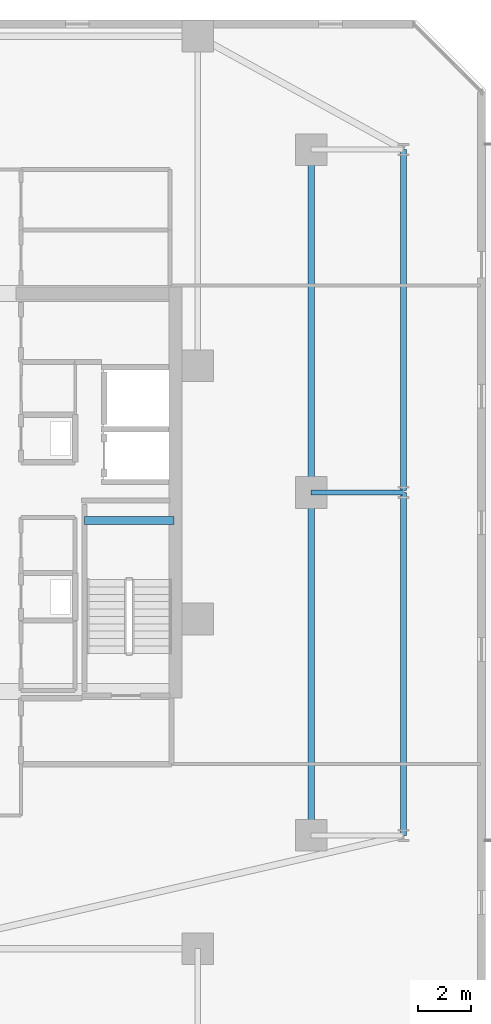
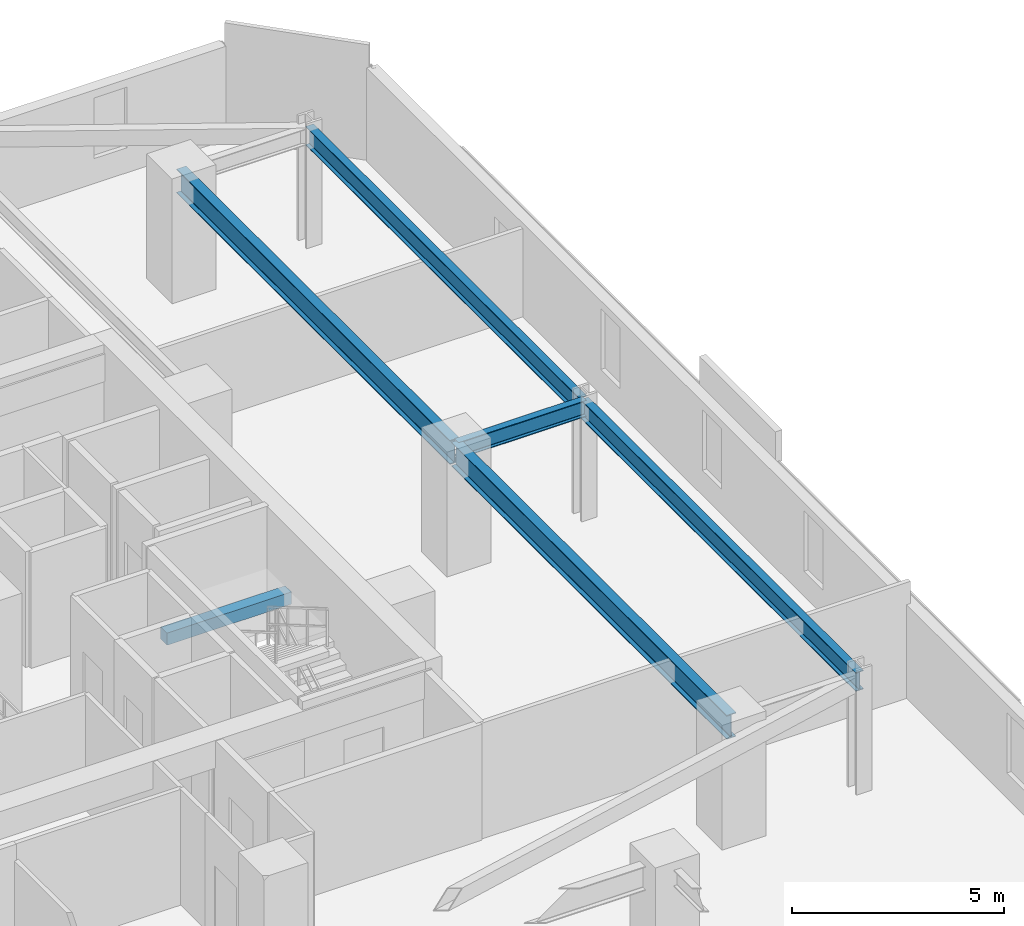
# One storey, part 13 of 33: 6 beams.
"""IFC4 building model written with IfcOpenShell, lengths in metres."""

from ifc_helpers import new_model, si_unit, direction, frame, origin, origin_2d, place, context, subcontext, project, spatial, rectangle, i_section, extrude, material, material_profile, profile_set, type_object, element, save


model = new_model("IFC4")

# Units and contexts
model_context = context("Model", 3, precision=1e-05, world=origin(), true_north=direction((0.0, 1.0)))
body_context = subcontext(model_context, "Body", "Model", "MODEL_VIEW")
ifc_project = project(units=[si_unit("LENGTHUNIT", "METRE"), si_unit("AREAUNIT", "SQUARE_METRE"), si_unit("VOLUMEUNIT", "CUBIC_METRE"), si_unit("PLANEANGLEUNIT", "RADIAN"), si_unit("MASSUNIT", "GRAM", prefix="KILO")], contexts=[model_context])

# Site, building, storey
site_placement = place(None, origin())
site = spatial("IfcSite", under=ifc_project, at=site_placement, CompositionType="ELEMENT")
building_placement = place(site_placement, origin())
building = spatial("IfcBuilding", under=site, at=building_placement, Name="Thornwick Lancets Civic Towers", CompositionType="ELEMENT")
storey_placement = place(building_placement, frame((0.0, 0.0, 134.10009765625)))
storey = spatial("IfcBuildingStorey", under=building, at=storey_placement, Name="L35", CompositionType="ELEMENT", Elevation=134.10009765625)

# Beams
ifc_material_1 = material(Name="Steel S355JR", Category="steel")
ifc_material_profile_1 = material_profile(ifc_material_1, i_section(OverallWidth=0.2119140625, OverallDepth=0.54443359375, WebThickness=0.0126953125, FlangeThickness=0.021240234375, FilletRadius=0.0126953125, at=origin_2d()), Name="UKB 533x210x122")
ifc_profile_set_1 = profile_set([ifc_material_profile_1], Name="Steel S355JR")
beam_type_1 = type_object("IfcBeamType", Name="BM_EDGE_533_122", PredefinedType="SPANDREL", material=ifc_profile_set_1)
beam_1_placement = place(storey_placement, frame((109.300048828125, 14.0, 3.087646484375), z_axis=(0.0, 1.0, 0.0), x_axis=(-1.0, 0.0, 0.0)))
element("IfcBeam", 1, at=beam_1_placement, inside=storey, type_object=beam_type_1, Name="BM-EDGE-L35-B-S0-1", PredefinedType="SPANDREL", context=body_context, shape_type="SweptSolid", body=[
    extrude(i_section(OverallWidth=0.2119140625, OverallDepth=0.54443359375, WebThickness=0.0126953125, FlangeThickness=0.021240234375, FilletRadius=0.0126953125, at=origin_2d()), origin(), (0.0, 0.0, 1.0), 13.0),
])
beam_2_placement = place(storey_placement, frame((109.300048828125, 27.080078125, 3.087646484375), z_axis=(0.0, 1.0, 0.0), x_axis=(-1.0, 0.0, 0.0)))
element("IfcBeam", 2, at=beam_2_placement, inside=storey, type_object=beam_type_1, Name="BM-EDGE-L35-B-S0-2", PredefinedType="SPANDREL", context=body_context, shape_type="SweptSolid", body=[
    extrude(i_section(OverallWidth=0.2119140625, OverallDepth=0.54443359375, WebThickness=0.0126953125, FlangeThickness=0.021240234375, FilletRadius=0.0126953125, at=origin_2d()), origin(), (0.0, 0.0, 1.0), 12.919921875),
])
ifc_material_profile_2 = material_profile(ifc_material_1, i_section(OverallWidth=0.255859375, OverallDepth=0.69287109375, WebThickness=0.014404296875, FlangeThickness=0.023681640625, FilletRadius=0.01513671875, at=origin_2d()), Name="UKB 686x254x170")
ifc_profile_set_2 = profile_set([ifc_material_profile_2], Name="Steel S355JR")
beam_type_2 = type_object("IfcBeamType", Name="BM_GIRD_686_170", PredefinedType="BEAM", material=ifc_profile_set_2)
beam_3_placement = place(storey_placement, frame((105.800048828125, 14.0, 3.013427734375), z_axis=(0.0, 1.0, 0.0), x_axis=(-1.0, 0.0, 0.0)))
element("IfcBeam", 3, at=beam_3_placement, inside=storey, type_object=beam_type_2, Name="BM-SPINE-L35-B-0-1", PredefinedType="BEAM", context=body_context, shape_type="SweptSolid", body=[
    extrude(i_section(OverallWidth=0.255859375, OverallDepth=0.69287109375, WebThickness=0.014404296875, FlangeThickness=0.023681640625, FilletRadius=0.01513671875, at=origin_2d()), origin(), (0.0, 0.0, 1.0), 13.0),
])
beam_4_placement = place(storey_placement, frame((105.800048828125, 27.080078125, 3.013427734375), z_axis=(0.0, 1.0, 0.0), x_axis=(-1.0, 0.0, 0.0)))
element("IfcBeam", 4, at=beam_4_placement, inside=storey, type_object=beam_type_2, Name="BM-SPINE-L35-B-1-2", PredefinedType="BEAM", context=body_context, shape_type="SweptSolid", body=[
    extrude(i_section(OverallWidth=0.255859375, OverallDepth=0.69287109375, WebThickness=0.014404296875, FlangeThickness=0.023681640625, FilletRadius=0.01513671875, at=origin_2d()), origin(), (0.0, 0.0, 1.0), 12.919921875),
])
ifc_material_profile_3 = material_profile(ifc_material_1, i_section(OverallWidth=0.19287109375, OverallDepth=0.46728515625, WebThickness=0.011474609375, FlangeThickness=0.01953125, FilletRadius=0.01025390625, at=origin_2d()), Name="UKB 457x191x98")
ifc_profile_set_3 = profile_set([ifc_material_profile_3], Name="Steel S355JR")
beam_type_3 = type_object("IfcBeamType", Name="BM_JOIST_457_98", PredefinedType="JOIST", material=ifc_profile_set_3)
beam_5_placement = place(storey_placement, frame((105.800048828125, 27.0, 3.126220703125), z_axis=(1.0, 0.0, 0.0), x_axis=(0.0, 1.0, 0.0)))
element("IfcBeam", 5, at=beam_5_placement, inside=storey, type_object=beam_type_3, Name="BM-RAD-L35-B02", PredefinedType="JOIST", context=body_context, shape_type="SweptSolid", body=[
    extrude(i_section(OverallWidth=0.19287109375, OverallDepth=0.46728515625, WebThickness=0.011474609375, FlangeThickness=0.01953125, FilletRadius=0.01025390625, at=origin_2d()), origin(), (0.0, 0.0, 1.0), 3.5),
])
ifc_material_2 = material(Name="Concrete C40/50", Category="concrete")
ifc_material_profile_4 = material_profile(ifc_material_2, rectangle(XDim=0.300048828125, YDim=0.35009765625, at=origin_2d()), Name="RC 300x350")
ifc_profile_set_4 = profile_set([ifc_material_profile_4], Name="Concrete C40/50")
beam_type_4 = type_object("IfcBeamType", Name="BM_STAIR_LDG", PredefinedType="BEAM", material=ifc_profile_set_4)
beam_6_placement = place(storey_placement, frame((100.60009765625, 25.93505859375, 1.3779296875), z_axis=(-1.0, 0.0, 0.0), x_axis=(0.0, -1.0, 0.0)))
element("IfcBeam", 6, at=beam_6_placement, inside=storey, type_object=beam_type_4, Name="L35 ST-B1 Landing Support Beam 1", PredefinedType="BEAM", context=body_context, shape_type="SweptSolid", body=[
    extrude(rectangle(XDim=0.300048828125, YDim=0.35009765625, at=origin_2d()), origin(), (0.0, 0.0, 1.0), 3.400146484375),
])

save(model, "model.ifc")
